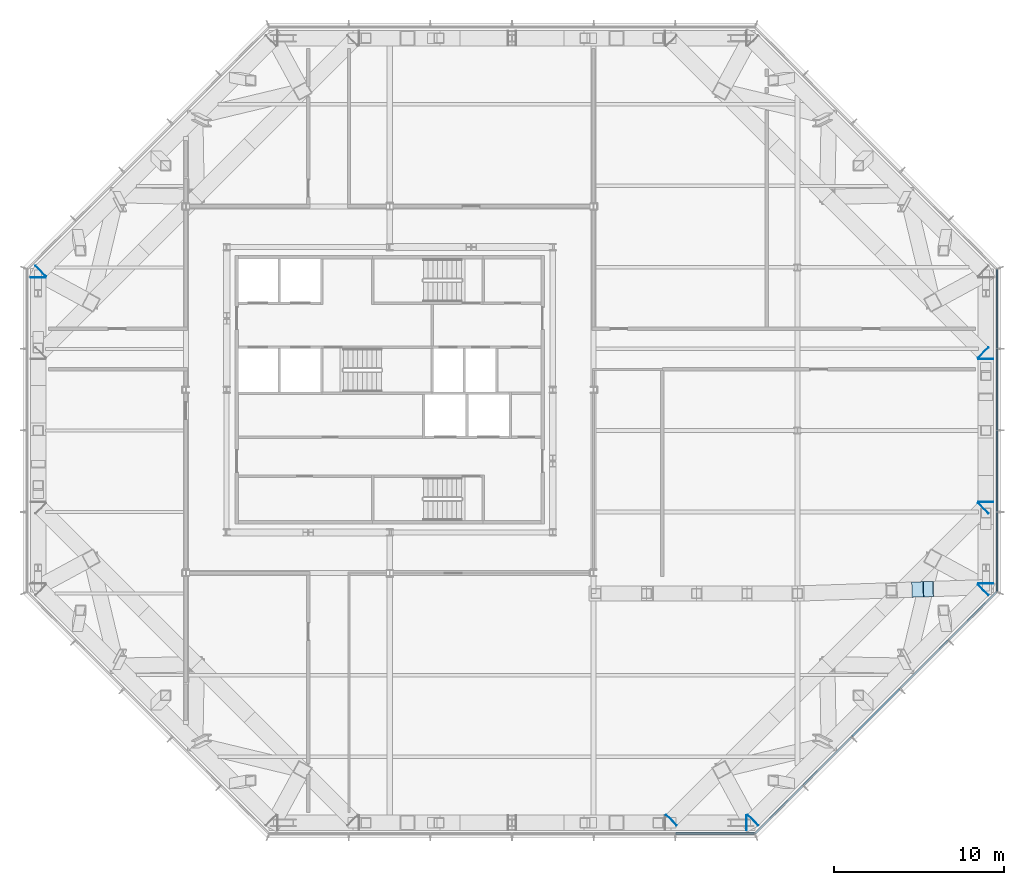
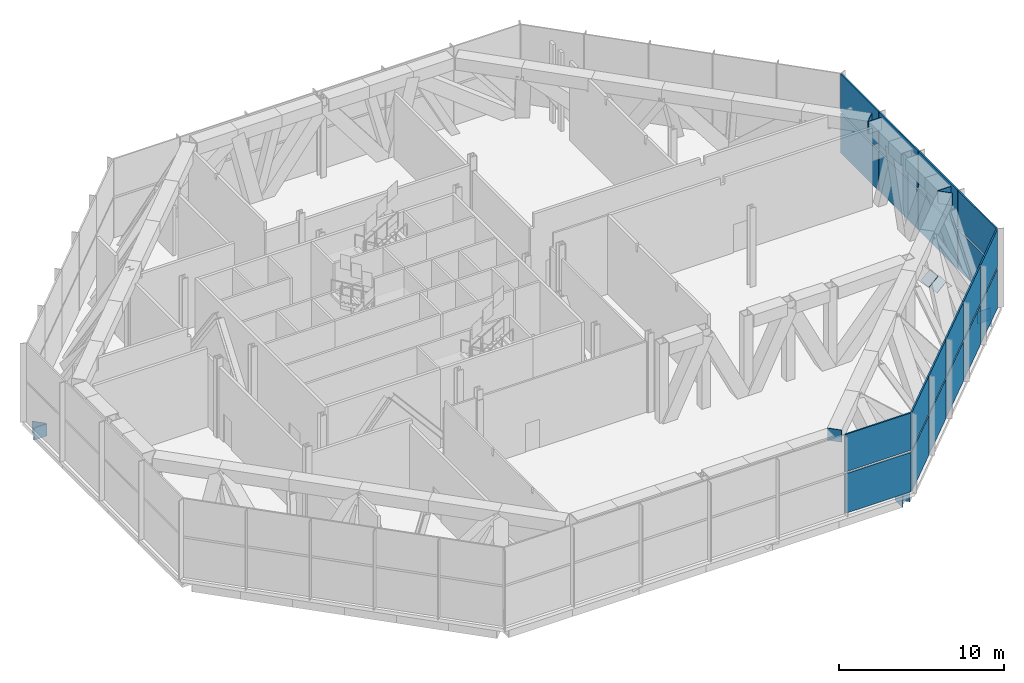
# One storey, part 11 of 18: 33 plates, 3 elements without a shape of their own.
"""IFC4 building model written with IfcOpenShell, lengths in metres."""

from ifc_helpers import new_model, si_unit, direction, frame, origin, origin_2d, place, context, subcontext, project, spatial, rectangle, extrude, material, layer, layer_set, material_profile, profile_set, type_object, element, aggregate, save


model = new_model("IFC4")

# Units and contexts
model_context = context("Model", 3, precision=1e-05, world=origin(), true_north=direction((0.0, 1.0)))
body_context = subcontext(model_context, "Body", "Model", "MODEL_VIEW")
ifc_project = project(units=[si_unit("LENGTHUNIT", "METRE"), si_unit("AREAUNIT", "SQUARE_METRE"), si_unit("VOLUMEUNIT", "CUBIC_METRE"), si_unit("PLANEANGLEUNIT", "RADIAN"), si_unit("MASSUNIT", "GRAM", prefix="KILO")], contexts=[model_context])

# Site, building, storey
site_placement = place(None, origin())
site = spatial("IfcSite", under=ifc_project, at=site_placement, CompositionType="ELEMENT")
building_placement = place(site_placement, origin())
building = spatial("IfcBuilding", under=site, at=building_placement, Name="Cairn Pilgrim Tower", CompositionType="ELEMENT")
storey_placement = place(building_placement, frame((0.0, 0.0, 204.60009765625)))
storey = spatial("IfcBuildingStorey", under=building, at=storey_placement, Name="L52", CompositionType="ELEMENT", Elevation=204.60009765625)

# Plates
ifc_material_1 = material(Name="Structural steel S460M", Category="steel")
ifc_material_profile = material_profile(ifc_material_1, rectangle(XDim=0.89990234375, YDim=0.89990234375, at=origin_2d()), Name="END PLATE BOX 900x900x50")
ifc_profile_set = profile_set([ifc_material_profile], Name="Structural steel S460M")
plate_type_1 = type_object("IfcPlateType", Name="END PLATE BOX 900x900x50", PredefinedType="SHEET", material=ifc_profile_set)
plate_1_placement = place(storey_placement, frame((28.19091796875, -23.10009765625, -0.7001953125), z_axis=(1.0, 0.0, 0.0), x_axis=(0.0, 1.0, 0.0)))
element("IfcPlate", 1, at=plate_1_placement, inside=storey, type_object=plate_type_1, Name="EP-BT52-S-BC6-B", PredefinedType="SHEET", context=body_context, shape_type="SweptSolid", body=[
    extrude(rectangle(XDim=0.89990234375, YDim=0.89990234375, at=origin_2d()), origin(), (0.0, 0.0, 1.0), 0.039794921875),
])
for number, where, z_axis, x_axis, name in (
    (2, (28.594482421875, -22.932861328125, -0.7001953125), (-0.707106781187, -0.707106781187, 0.0), (0.707106781187, -0.707106781187, 0.0), "EP-BT52-SE-BC1-A"),
    (3, (23.79443359375, -22.932861328125, 5.39990234375), (-0.707106781187, -0.707106781187, 0.0), (0.707106781187, -0.707106781187, 0.0), "EP-BT52-SE-TC1-A"),
):
    element("IfcPlate", number, at=place(storey_placement, frame(where, z_axis=z_axis, x_axis=x_axis)), inside=storey, type_object=plate_type_1, Name=name, PredefinedType="SHEET", context=body_context, shape_type="SweptSolid", body=[
        extrude(rectangle(XDim=0.89990234375, YDim=0.89990234375, at=origin_2d()), origin(), (0.0, 0.0, 1.0), 0.0400390625),
    ])
plate_2_placement = place(storey_placement, frame((42.1328125, -9.394287109375, -0.7001953125), z_axis=(0.710161195225, 0.704039115956, 0.0), x_axis=(-0.704039115956, 0.710161195225, 0.0)))
element("IfcPlate", 4, at=plate_2_placement, inside=storey, type_object=plate_type_1, Name="EP-BT52-SE-BC6-B", PredefinedType="SHEET", context=body_context, shape_type="SweptSolid", body=[
    extrude(rectangle(XDim=0.89990234375, YDim=0.89990234375, at=origin_2d()), origin(), (0.0, 0.0, 1.0), 0.039794921875),
])
for number, where, z_axis, x_axis, name in (
    (5, (42.1328125, -4.594482421875, 5.39990234375), (0.707106781187, 0.707106781187, 0.0), (-0.707106781187, 0.707106781187, 0.0), "EP-BT52-SE-TC6-B"),
    (6, (42.300048828125, -8.99072265625, -0.7001953125), (0.0, -1.0, 0.0), (1.0, 0.0, 0.0), "EP-BT52-E-BC1-A"),
):
    element("IfcPlate", number, at=place(storey_placement, frame(where, z_axis=z_axis, x_axis=x_axis)), inside=storey, type_object=plate_type_1, Name=name, PredefinedType="SHEET", context=body_context, shape_type="SweptSolid", body=[
        extrude(rectangle(XDim=0.89990234375, YDim=0.89990234375, at=origin_2d()), origin(), (0.0, 0.0, 1.0), 0.0400390625),
    ])
for number, where, z_axis, x_axis, name in (
    (7, (42.300048828125, -4.19091796875, 5.39990234375), (0.0, -1.0, 0.0), (1.0, 0.0, 0.0), "EP-BT52-E-TC1-A"),
    (8, (42.300048828125, 4.19091796875, 5.39990234375), (0.0, 1.0, 0.0), (-1.0, 0.0, 0.0), "EP-BT52-E-TC4-B"),
):
    element("IfcPlate", number, at=place(storey_placement, frame(where, z_axis=z_axis, x_axis=x_axis)), inside=storey, type_object=plate_type_1, Name=name, PredefinedType="SHEET", context=body_context, shape_type="SweptSolid", body=[
        extrude(rectangle(XDim=0.89990234375, YDim=0.89990234375, at=origin_2d()), origin(), (0.0, 0.0, 1.0), 0.039794921875),
    ])
plate_3_placement = place(storey_placement, frame((42.1328125, 4.594482421875, 5.39990234375), z_axis=(0.707106781187, -0.707106781187, 0.0), x_axis=(0.707106781187, 0.707106781187, 0.0)))
element("IfcPlate", 9, at=plate_3_placement, inside=storey, type_object=plate_type_1, Name="EP-BT52-NE-TC1-A", PredefinedType="SHEET", context=body_context, shape_type="SweptSolid", body=[
    extrude(rectangle(XDim=0.89990234375, YDim=0.89990234375, at=origin_2d()), origin(), (0.0, 0.0, 1.0), 0.0400390625),
])
plate_4_placement = place(storey_placement, frame((-13.332763671875, 9.394287109375, -0.7001953125), z_axis=(-0.710161195225, -0.704039115956, 0.0), x_axis=(0.704039115956, -0.710161195225, 0.0)))
element("IfcPlate", 10, at=plate_4_placement, inside=storey, type_object=plate_type_1, Name="EP-BT52-NW-BC6-B", PredefinedType="SHEET", context=body_context, shape_type="SweptSolid", body=[
    extrude(rectangle(XDim=0.89990234375, YDim=0.89990234375, at=origin_2d()), origin(), (0.0, 0.0, 1.0), 0.039794921875),
])
for number, where, z_axis, x_axis, name in (
    (11, (-13.5, 8.99072265625, -0.7001953125), (0.0, 1.0, 0.0), (-1.0, 0.0, 0.0), "EP-BT52-W-BC1-A"),
    (12, (38.277587890625, -9.362548828125, 3.720703125), (0.675887561762, 0.018267231399, -0.736778333091), (-0.027017161348, 0.999634969873, 0.0), "EP-TT52S96-D6-A"),
    (13, (38.886962890625, -9.342041015625, 3.05126953125), (-0.672471643379, -0.024453514305, 0.739718807717), (0.036339618107, -0.999339497946, 0.0), "EP-TT52S96-D6-B"),
):
    element("IfcPlate", number, at=place(storey_placement, frame(where, z_axis=z_axis, x_axis=x_axis)), inside=storey, type_object=plate_type_1, Name=name, PredefinedType="SHEET", context=body_context, shape_type="SweptSolid", body=[
        extrude(rectangle(XDim=0.89990234375, YDim=0.89990234375, at=origin_2d()), origin(), (0.0, 0.0, 1.0), 0.0400390625),
    ])

# Curtain wall, plates
ifc_material_2 = material(Name="Aluminium alloy 6063-T6 bronze anodised with Bronze tinted laminated low-E glass 8+16+8.8", Category="aluminium")
curtain_wall_type = type_object("IfcCurtainWallType", Name="PLANT LOUVRE CURTAIN WALL", PredefinedType="NOTDEFINED", material=ifc_material_2)
curtain_wall_1_placement = place(storey_placement, origin())
curtain_wall_1 = element("IfcCurtainWall", 14, at=curtain_wall_1_placement, inside=storey, type_object=curtain_wall_type, Name="Plant Louvre Curtain Wall SE", PredefinedType="NOTDEFINED")
ifc_material_3 = material(Name="Bronze anodised aluminium louvre blades", Category="aluminium")
ifc_layer_1 = layer(ifc_material_3, 0.10009765625)
ifc_layer_set_1 = layer_set([ifc_layer_1], Name="LOUVRE PANEL 3962x2775")
plate_type_2 = type_object("IfcPlateType", Name="LOUVRE PANEL 3962x2775", PredefinedType="CURTAIN_PANEL", material=ifc_layer_set_1)
plate_5_placement = place(storey_placement, frame((30.125244140625, -22.321044921875, 3.074951171875), z_axis=(0.0, 0.0, 1.0), x_axis=(0.707106781187, 0.707106781187, 0.0)))
plate_5 = element("IfcPlate", 15, at=plate_5_placement, type_object=plate_type_2, Name="Louvre Panel SE1-2", PredefinedType="CURTAIN_PANEL", context=body_context, shape_type="SweptSolid", body=[
    extrude(rectangle(XDim=3.96142578125, YDim=0.10009765625, at=origin_2d()), origin(), (0.0, 0.0, 1.0), 2.77490234375),
])
plate_6_placement = place(storey_placement, frame((41.52099609375, -10.92529296875, 3.074951171875), z_axis=(0.0, 0.0, 1.0), x_axis=(0.707106781187, 0.707106781187, 0.0)))
plate_6 = element("IfcPlate", 16, at=plate_6_placement, type_object=plate_type_2, Name="Louvre Panel SE5-2", PredefinedType="CURTAIN_PANEL", context=body_context, shape_type="SweptSolid", body=[
    extrude(rectangle(XDim=3.96142578125, YDim=0.10009765625, at=origin_2d()), origin(), (0.0, 0.0, 1.0), 2.77490234375),
])
ifc_layer_2 = layer(ifc_material_3, 0.10009765625)
ifc_layer_set_2 = layer_set([ifc_layer_2], Name="LOUVRE PANEL 3962x2925")
plate_type_3 = type_object("IfcPlateType", Name="LOUVRE PANEL 3962x2925", PredefinedType="CURTAIN_PANEL", material=ifc_layer_set_2)
plate_7_placement = place(storey_placement, frame((30.125244140625, -22.321044921875, 0.0), z_axis=(0.0, 0.0, 1.0), x_axis=(0.707106781187, 0.707106781187, 0.0)))
plate_7 = element("IfcPlate", 17, at=plate_7_placement, type_object=plate_type_3, Name="Louvre Panel SE1-1", PredefinedType="CURTAIN_PANEL", context=body_context, shape_type="SweptSolid", body=[
    extrude(rectangle(XDim=3.96142578125, YDim=0.10009765625, at=origin_2d()), origin(), (0.0, 0.0, 1.0), 2.925048828125),
])
plate_8_placement = place(storey_placement, frame((41.52099609375, -10.92529296875, 0.0), z_axis=(0.0, 0.0, 1.0), x_axis=(0.707106781187, 0.707106781187, 0.0)))
plate_8 = element("IfcPlate", 18, at=plate_8_placement, type_object=plate_type_3, Name="Louvre Panel SE5-1", PredefinedType="CURTAIN_PANEL", context=body_context, shape_type="SweptSolid", body=[
    extrude(rectangle(XDim=3.96142578125, YDim=0.10009765625, at=origin_2d()), origin(), (0.0, 0.0, 1.0), 2.925048828125),
])
ifc_layer_3 = layer(ifc_material_3, 0.10009765625)
ifc_layer_set_3 = layer_set([ifc_layer_3], Name="LOUVRE PANEL 3972x2775")
plate_type_4 = type_object("IfcPlateType", Name="LOUVRE PANEL 3972x2775", PredefinedType="CURTAIN_PANEL", material=ifc_layer_set_3)
plate_9_placement = place(storey_placement, frame((32.972412109375, -19.473876953125, 3.074951171875), z_axis=(0.0, 0.0, 1.0), x_axis=(0.707106781187, 0.707106781187, 0.0)))
plate_9 = element("IfcPlate", 19, at=plate_9_placement, type_object=plate_type_4, Name="Louvre Panel SE2-2", PredefinedType="CURTAIN_PANEL", context=body_context, shape_type="SweptSolid", body=[
    extrude(rectangle(XDim=3.971435546875, YDim=0.10009765625, at=origin_2d()), origin(), (0.0, 0.0, 1.0), 2.77490234375),
])
plate_10_placement = place(storey_placement, frame((35.8232421875, -16.623291015625, 3.074951171875), z_axis=(0.0, 0.0, 1.0), x_axis=(0.707106781187, 0.707106781187, 0.0)))
plate_10 = element("IfcPlate", 20, at=plate_10_placement, type_object=plate_type_4, Name="Louvre Panel SE3-2", PredefinedType="CURTAIN_PANEL", context=body_context, shape_type="SweptSolid", body=[
    extrude(rectangle(XDim=3.971435546875, YDim=0.10009765625, at=origin_2d()), origin(), (0.0, 0.0, 1.0), 2.77490234375),
])
plate_11_placement = place(storey_placement, frame((38.673828125, -13.7724609375, 3.074951171875), z_axis=(0.0, 0.0, 1.0), x_axis=(0.707106781187, 0.707106781187, 0.0)))
plate_11 = element("IfcPlate", 21, at=plate_11_placement, type_object=plate_type_4, Name="Louvre Panel SE4-2", PredefinedType="CURTAIN_PANEL", context=body_context, shape_type="SweptSolid", body=[
    extrude(rectangle(XDim=3.971435546875, YDim=0.10009765625, at=origin_2d()), origin(), (0.0, 0.0, 1.0), 2.77490234375),
])
ifc_layer_4 = layer(ifc_material_3, 0.10009765625)
ifc_layer_set_4 = layer_set([ifc_layer_4], Name="LOUVRE PANEL 3972x2925")
plate_type_5 = type_object("IfcPlateType", Name="LOUVRE PANEL 3972x2925", PredefinedType="CURTAIN_PANEL", material=ifc_layer_set_4)
plate_12_placement = place(storey_placement, frame((32.972412109375, -19.473876953125, 0.0), z_axis=(0.0, 0.0, 1.0), x_axis=(0.707106781187, 0.707106781187, 0.0)))
plate_12 = element("IfcPlate", 22, at=plate_12_placement, type_object=plate_type_5, Name="Louvre Panel SE2-1", PredefinedType="CURTAIN_PANEL", context=body_context, shape_type="SweptSolid", body=[
    extrude(rectangle(XDim=3.971435546875, YDim=0.10009765625, at=origin_2d()), origin(), (0.0, 0.0, 1.0), 2.925048828125),
])
plate_13_placement = place(storey_placement, frame((35.8232421875, -16.623291015625, 0.0), z_axis=(0.0, 0.0, 1.0), x_axis=(0.707106781187, 0.707106781187, 0.0)))
plate_13 = element("IfcPlate", 23, at=plate_13_placement, type_object=plate_type_5, Name="Louvre Panel SE3-1", PredefinedType="CURTAIN_PANEL", context=body_context, shape_type="SweptSolid", body=[
    extrude(rectangle(XDim=3.971435546875, YDim=0.10009765625, at=origin_2d()), origin(), (0.0, 0.0, 1.0), 2.925048828125),
])
plate_14_placement = place(storey_placement, frame((38.673828125, -13.7724609375, 0.0), z_axis=(0.0, 0.0, 1.0), x_axis=(0.707106781187, 0.707106781187, 0.0)))
plate_14 = element("IfcPlate", 24, at=plate_14_placement, type_object=plate_type_5, Name="Louvre Panel SE4-1", PredefinedType="CURTAIN_PANEL", context=body_context, shape_type="SweptSolid", body=[
    extrude(rectangle(XDim=3.971435546875, YDim=0.10009765625, at=origin_2d()), origin(), (0.0, 0.0, 1.0), 2.925048828125),
])
aggregate(curtain_wall_1, [plate_7, plate_5, plate_12, plate_9, plate_13, plate_10, plate_14, plate_11, plate_8, plate_6])

# Curtain wall, plate
curtain_wall_2_placement = place(storey_placement, origin())
curtain_wall_2 = element("IfcCurtainWall", 25, at=curtain_wall_2_placement, inside=storey, type_object=curtain_wall_type, Name="Plant Louvre Curtain Wall S", PredefinedType="NOTDEFINED")
ifc_layer_5 = layer(ifc_material_3, 0.10009765625)
ifc_layer_set_5 = layer_set([ifc_layer_5], Name="LOUVRE PANEL 4626x2775")
plate_type_6 = type_object("IfcPlateType", Name="LOUVRE PANEL 4626x2775", PredefinedType="CURTAIN_PANEL", material=ifc_layer_set_5)
plate_15_placement = place(storey_placement, frame((26.34326171875, -23.75, 3.074951171875), z_axis=(0.0, 0.0, 1.0), x_axis=(1.0, 0.0, 0.0)))
plate_15 = element("IfcPlate", 26, at=plate_15_placement, type_object=plate_type_6, Name="Louvre Panel S6-2", PredefinedType="CURTAIN_PANEL", context=body_context, shape_type="SweptSolid", body=[
    extrude(rectangle(XDim=4.62646484375, YDim=0.10009765625, at=origin_2d()), origin(), (0.0, 0.0, 1.0), 2.77490234375),
])

# Curtain wall, plates
curtain_wall_3_placement = place(storey_placement, origin())
curtain_wall_3 = element("IfcCurtainWall", 27, at=curtain_wall_3_placement, inside=storey, type_object=curtain_wall_type, Name="Plant Louvre Curtain Wall E", PredefinedType="NOTDEFINED")
plate_16_placement = place(storey_placement, frame((42.949951171875, -7.143310546875, 3.074951171875), z_axis=(0.0, 0.0, 1.0), x_axis=(0.0, 1.0, 0.0)))
plate_16 = element("IfcPlate", 28, at=plate_16_placement, type_object=plate_type_6, Name="Louvre Panel E1-2", PredefinedType="CURTAIN_PANEL", context=body_context, shape_type="SweptSolid", body=[
    extrude(rectangle(XDim=4.62646484375, YDim=0.10009765625, at=origin_2d()), origin(), (0.0, 0.0, 1.0), 2.77490234375),
])
plate_17_placement = place(storey_placement, frame((42.949951171875, 7.143310546875, 3.074951171875), z_axis=(0.0, 0.0, 1.0), x_axis=(0.0, 1.0, 0.0)))
plate_17 = element("IfcPlate", 29, at=plate_17_placement, type_object=plate_type_6, Name="Louvre Panel E4-2", PredefinedType="CURTAIN_PANEL", context=body_context, shape_type="SweptSolid", body=[
    extrude(rectangle(XDim=4.62646484375, YDim=0.10009765625, at=origin_2d()), origin(), (0.0, 0.0, 1.0), 2.77490234375),
])

# Plate
ifc_layer_6 = layer(ifc_material_3, 0.10009765625)
ifc_layer_set_6 = layer_set([ifc_layer_6], Name="LOUVRE PANEL 4626x2925")
plate_type_7 = type_object("IfcPlateType", Name="LOUVRE PANEL 4626x2925", PredefinedType="CURTAIN_PANEL", material=ifc_layer_set_6)
plate_18_placement = place(storey_placement, frame((26.34326171875, -23.75, 0.0), z_axis=(0.0, 0.0, 1.0), x_axis=(1.0, 0.0, 0.0)))
plate_18 = element("IfcPlate", 30, at=plate_18_placement, type_object=plate_type_7, Name="Louvre Panel S6-1", PredefinedType="CURTAIN_PANEL", context=body_context, shape_type="SweptSolid", body=[
    extrude(rectangle(XDim=4.62646484375, YDim=0.10009765625, at=origin_2d()), origin(), (0.0, 0.0, 1.0), 2.925048828125),
])

aggregate(curtain_wall_2, [plate_18, plate_15])

plate_19_placement = place(storey_placement, frame((42.949951171875, -7.143310546875, 0.0), z_axis=(0.0, 0.0, 1.0), x_axis=(0.0, 1.0, 0.0)))
plate_19 = element("IfcPlate", 31, at=plate_19_placement, type_object=plate_type_7, Name="Louvre Panel E1-1", PredefinedType="CURTAIN_PANEL", context=body_context, shape_type="SweptSolid", body=[
    extrude(rectangle(XDim=4.62646484375, YDim=0.10009765625, at=origin_2d()), origin(), (0.0, 0.0, 1.0), 2.925048828125),
])

plate_20_placement = place(storey_placement, frame((42.949951171875, 7.143310546875, 0.0), z_axis=(0.0, 0.0, 1.0), x_axis=(0.0, 1.0, 0.0)))
plate_20 = element("IfcPlate", 32, at=plate_20_placement, type_object=plate_type_7, Name="Louvre Panel E4-1", PredefinedType="CURTAIN_PANEL", context=body_context, shape_type="SweptSolid", body=[
    extrude(rectangle(XDim=4.62646484375, YDim=0.10009765625, at=origin_2d()), origin(), (0.0, 0.0, 1.0), 2.925048828125),
])

ifc_layer_7 = layer(ifc_material_3, 0.10009765625)
ifc_layer_set_7 = layer_set([ifc_layer_7], Name="LOUVRE PANEL 4740x2775")
plate_type_8 = type_object("IfcPlateType", Name="LOUVRE PANEL 4740x2775", PredefinedType="CURTAIN_PANEL", material=ifc_layer_set_7)
plate_21_placement = place(storey_placement, frame((42.949951171875, -2.39990234375, 3.074951171875), z_axis=(0.0, 0.0, 1.0), x_axis=(0.0, 1.0, 0.0)))
plate_21 = element("IfcPlate", 33, at=plate_21_placement, type_object=plate_type_8, Name="Louvre Panel E2-2", PredefinedType="CURTAIN_PANEL", context=body_context, shape_type="SweptSolid", body=[
    extrude(rectangle(XDim=4.739990234375, YDim=0.10009765625, at=origin_2d()), origin(), (0.0, 0.0, 1.0), 2.77490234375),
])

plate_22_placement = place(storey_placement, frame((42.949951171875, 2.39990234375, 3.074951171875), z_axis=(0.0, 0.0, 1.0), x_axis=(0.0, 1.0, 0.0)))
plate_22 = element("IfcPlate", 34, at=plate_22_placement, type_object=plate_type_8, Name="Louvre Panel E3-2", PredefinedType="CURTAIN_PANEL", context=body_context, shape_type="SweptSolid", body=[
    extrude(rectangle(XDim=4.739990234375, YDim=0.10009765625, at=origin_2d()), origin(), (0.0, 0.0, 1.0), 2.77490234375),
])

ifc_layer_8 = layer(ifc_material_3, 0.10009765625)
ifc_layer_set_8 = layer_set([ifc_layer_8], Name="LOUVRE PANEL 4740x2925")
plate_type_9 = type_object("IfcPlateType", Name="LOUVRE PANEL 4740x2925", PredefinedType="CURTAIN_PANEL", material=ifc_layer_set_8)
plate_23_placement = place(storey_placement, frame((42.949951171875, -2.39990234375, 0.0), z_axis=(0.0, 0.0, 1.0), x_axis=(0.0, 1.0, 0.0)))
plate_23 = element("IfcPlate", 35, at=plate_23_placement, type_object=plate_type_9, Name="Louvre Panel E2-1", PredefinedType="CURTAIN_PANEL", context=body_context, shape_type="SweptSolid", body=[
    extrude(rectangle(XDim=4.739990234375, YDim=0.10009765625, at=origin_2d()), origin(), (0.0, 0.0, 1.0), 2.925048828125),
])

plate_24_placement = place(storey_placement, frame((42.949951171875, 2.39990234375, 0.0), z_axis=(0.0, 0.0, 1.0), x_axis=(0.0, 1.0, 0.0)))
plate_24 = element("IfcPlate", 36, at=plate_24_placement, type_object=plate_type_9, Name="Louvre Panel E3-1", PredefinedType="CURTAIN_PANEL", context=body_context, shape_type="SweptSolid", body=[
    extrude(rectangle(XDim=4.739990234375, YDim=0.10009765625, at=origin_2d()), origin(), (0.0, 0.0, 1.0), 2.925048828125),
])

aggregate(curtain_wall_3, [plate_19, plate_16, plate_23, plate_21, plate_24, plate_22, plate_20, plate_17])

save(model, "model.ifc")
